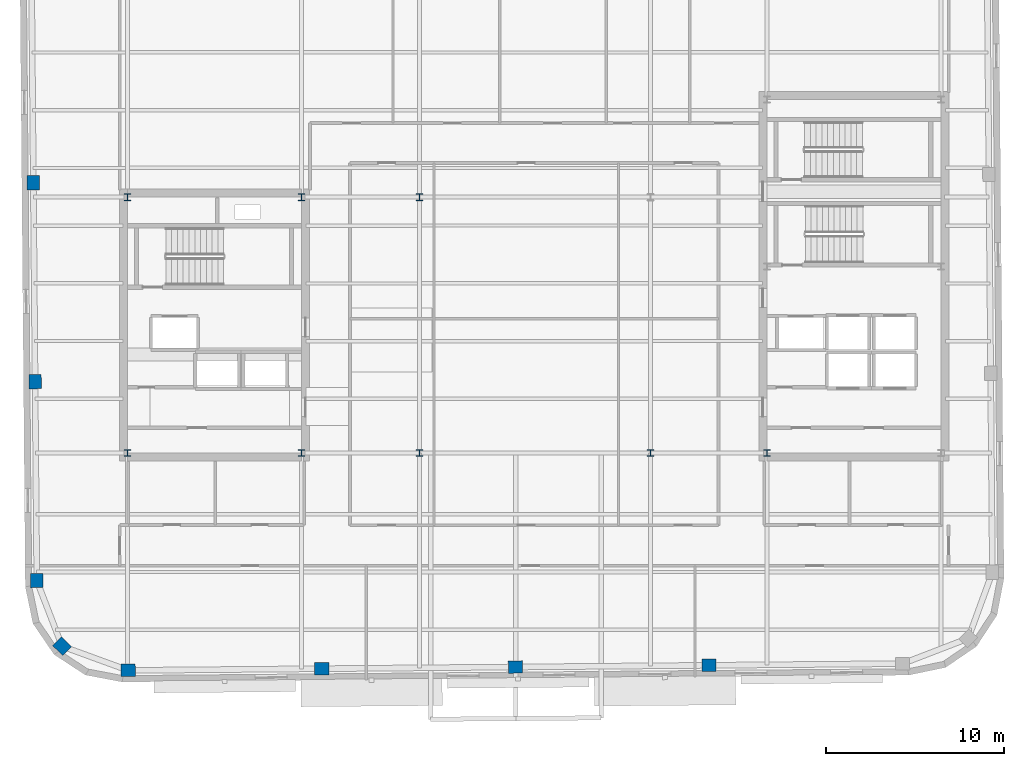
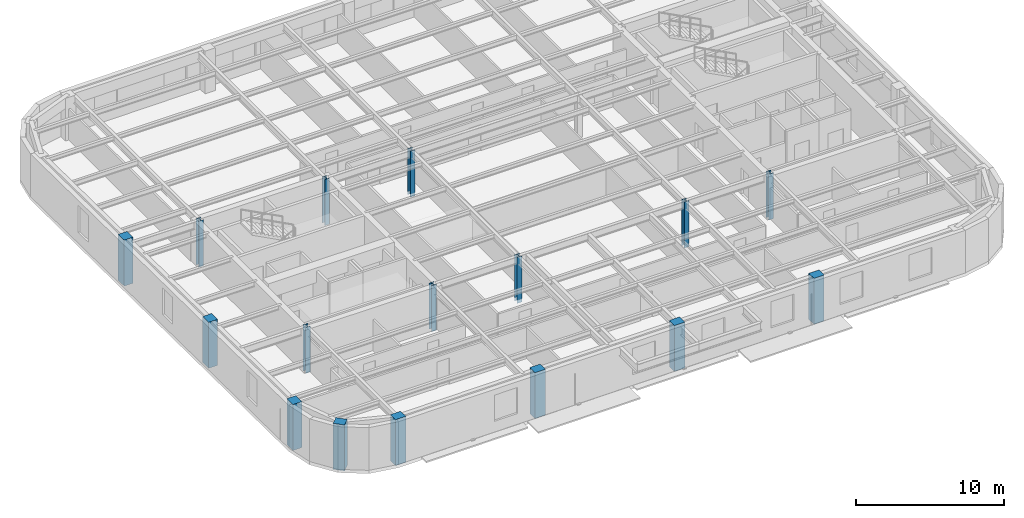
# One storey, part 1 of 14: 16 columns.
"""IFC4 building model written with IfcOpenShell, lengths in metres."""

from ifc_helpers import new_model, si_unit, direction, frame, origin, origin_2d, place, context, subcontext, project, spatial, rectangle, i_section, extrude, material, material_profile, profile_set, type_object, element, save


model = new_model("IFC4")

# Units and contexts
model_context = context("Model", 3, precision=1e-05, world=origin(), true_north=direction((0.0, 1.0)))
body_context = subcontext(model_context, "Body", "Model", "MODEL_VIEW")
ifc_project = project(units=[si_unit("LENGTHUNIT", "METRE"), si_unit("AREAUNIT", "SQUARE_METRE"), si_unit("VOLUMEUNIT", "CUBIC_METRE"), si_unit("PLANEANGLEUNIT", "RADIAN"), si_unit("MASSUNIT", "GRAM", prefix="KILO")], contexts=[model_context])

# Site, building, storey
site_placement = place(None, origin())
site = spatial("IfcSite", under=ifc_project, at=site_placement, CompositionType="ELEMENT")
building_placement = place(site_placement, origin())
building = spatial("IfcBuilding", under=site, at=building_placement, Name="Kolvaren Arena Tower", CompositionType="ELEMENT")
storey_placement = place(building_placement, frame((0.0, 0.0, 308.64990234375)))
storey = spatial("IfcBuildingStorey", under=building, at=storey_placement, Name="L76", CompositionType="ELEMENT", Elevation=308.64990234375)

# Columns
ifc_material_1 = material(Name="Precast concrete C50/60", Category="concrete")
ifc_material_profile_1 = material_profile(ifc_material_1, rectangle(XDim=0.800048828125, YDim=0.699951171875, at=origin_2d()), Name="RC-800x700")
ifc_profile_set_1 = profile_set([ifc_material_profile_1], Name="Precast concrete C50/60")
column_type_1 = type_object("IfcColumnType", Name="EXCOL-Z5", PredefinedType="COLUMN", material=ifc_profile_set_1)
for number, where, z_axis, x_axis, name in (
    (1, (14.591796875, 7.210693359375, -0.27001953125), (0.0, 0.0, 1.0), (0.999961923064, 0.008726535498, 0.0), "Exoskeleton Perimeter Column 01 (L76)"),
    (2, (25.491455078125, 7.3056640625, -0.27001953125), (0.0, 0.0, 1.0), (0.999961923064, 0.008726535498, 0.0), "Exoskeleton Perimeter Column 02 (L76)"),
    (3, (36.39111328125, 7.40087890625, -0.27001953125), (0.0, 0.0, 1.0), (0.999961923064, 0.008726535498, 0.0), "Exoskeleton Perimeter Column 03 (L76)"),
    (4, (47.290771484375, 7.49609375, -0.27001953125), (0.0, 0.0, 1.0), (0.999961923064, 0.008726535498, 0.0), "Exoskeleton Perimeter Column 04 (L76)"),
    (5, (9.252197265625, 34.6650390625, -0.27001953125), (0.0, 0.0, 1.0), (-0.008726535498, 0.999961923064, 0.0), "Exoskeleton Perimeter Column 19 (L76)"),
    (6, (9.349853515625, 23.465576171875, -0.27001953125), (0.0, 0.0, 1.0), (-0.008726535498, 0.999961923064, 0.0), "Exoskeleton Perimeter Column 20 (L76)"),
    (7, (9.447509765625, 12.265869140625, -0.27001953125), (0.0, 0.0, 1.0), (-0.008726535498, 0.999961923064, 0.0), "Exoskeleton Perimeter Column 21 (L76)"),
    (8, (10.87109375, 8.5693359375, -0.27001953125), (0.0, 0.0, 1.0), (-0.713250449154, 0.7009092643, 0.0), "Exoskeleton Perimeter Column 22 (L76)"),
):
    element("IfcColumn", number, at=place(storey_placement, frame(where, z_axis=z_axis, x_axis=x_axis)), inside=storey, type_object=column_type_1, Name=name, PredefinedType="COLUMN", context=body_context, shape_type="SweptSolid", body=[
        extrude(rectangle(XDim=0.800048828125, YDim=0.699951171875, at=origin_2d()), origin(), (0.0, 0.0, 1.0), 3.780029296875),
    ])
ifc_material_2 = material(Name="Steel ASTM A913 Grade 65", Category="steel")
ifc_material_profile_2 = material_profile(ifc_material_2, i_section(OverallWidth=0.3740234375, OverallDepth=0.3720703125, WebThickness=0.016357421875, FlangeThickness=0.026123046875, FilletRadius=0.02001953125, at=origin_2d()), Name="W360x196")
ifc_profile_set_2 = profile_set([ifc_material_profile_2], Name="Steel ASTM A913 Grade 65")
column_type_2 = type_object("IfcColumnType", Name="SCOL-Z5", PredefinedType="COLUMN", material=ifc_profile_set_2)
for number, where, z_axis, x_axis, name in (
    (9, (14.550048828125, 19.449951171875, -0.27001953125), (0.0, 0.0, 1.0), (1.0, 0.0, 0.0), "Core Boundary Column WC-SW (L76)"),
    (10, (24.35009765625, 19.449951171875, -0.27001953125), (0.0, 0.0, 1.0), (1.0, 0.0, 0.0), "Core Boundary Column WC-SE (L76)"),
    (11, (14.550048828125, 33.85009765625, -0.27001953125), (0.0, 0.0, 1.0), (1.0, 0.0, 0.0), "Core Boundary Column WC-NW (L76)"),
    (12, (24.35009765625, 33.85009765625, -0.27001953125), (0.0, 0.0, 1.0), (1.0, 0.0, 0.0), "Core Boundary Column WC-NE (L76)"),
    (13, (50.550048828125, 19.449951171875, -0.27001953125), (0.0, 0.0, 1.0), (1.0, 0.0, 0.0), "Core Boundary Column EC-SW (L76)"),
    (14, (31.0, 19.449951171875, -0.27001953125), (0.0, 0.0, 1.0), (1.0, 0.0, 0.0), "Interior Gravity Column TC-SW (L76)"),
    (15, (44.0, 19.449951171875, -0.27001953125), (0.0, 0.0, 1.0), (1.0, 0.0, 0.0), "Interior Gravity Column TC-SE (L76)"),
    (16, (31.0, 33.85009765625, -0.27001953125), (0.0, 0.0, 1.0), (1.0, 0.0, 0.0), "Interior Gravity Column TC-NW (L76)"),
):
    element("IfcColumn", number, at=place(storey_placement, frame(where, z_axis=z_axis, x_axis=x_axis)), inside=storey, type_object=column_type_2, Name=name, PredefinedType="COLUMN", context=body_context, shape_type="SweptSolid", body=[
        extrude(i_section(OverallWidth=0.3740234375, OverallDepth=0.3720703125, WebThickness=0.016357421875, FlangeThickness=0.026123046875, FilletRadius=0.02001953125, at=origin_2d()), origin(), (0.0, 0.0, 1.0), 3.780029296875),
    ])

save(model, "model.ifc")
